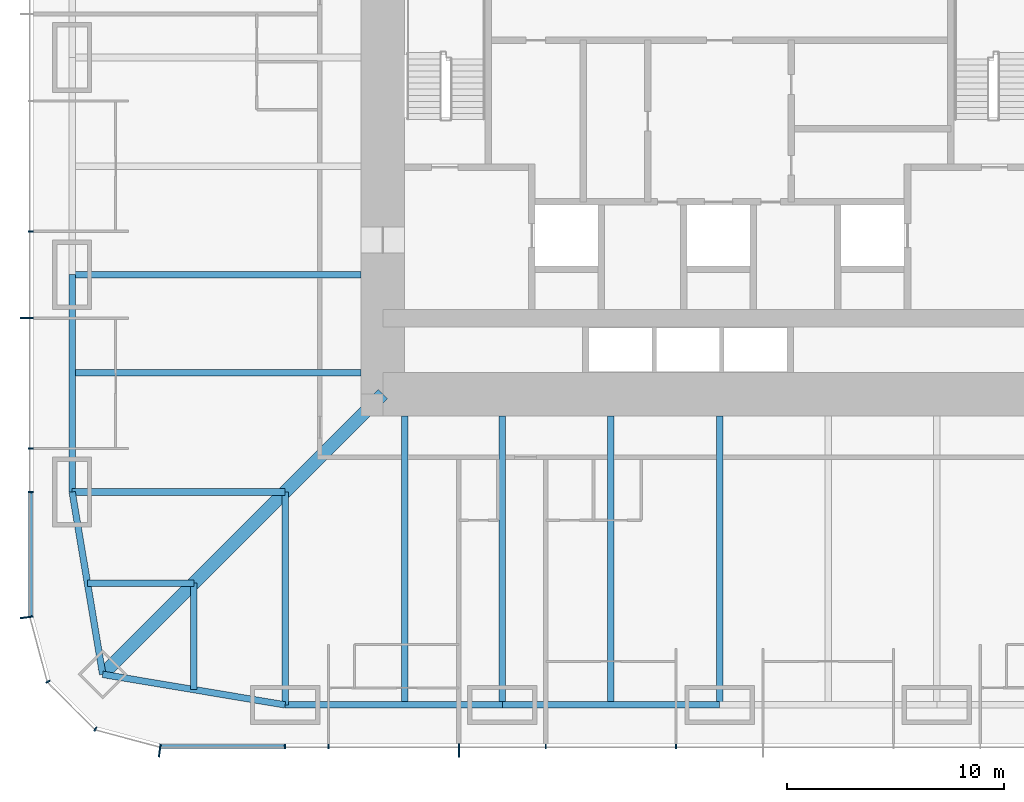
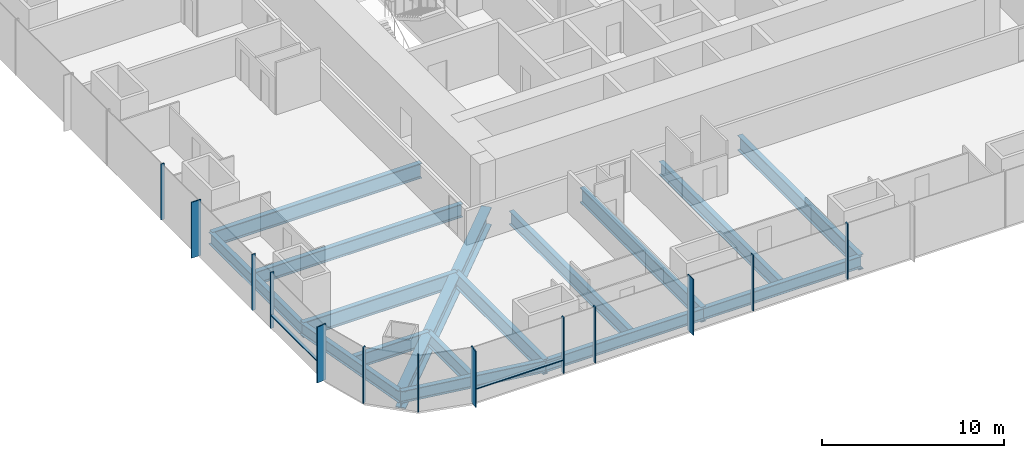
# One storey, part 2 of 17: 16 beams, 15 members, 3 elements without a shape of their own.
"""IFC4 building model written with IfcOpenShell, lengths in metres."""

from ifc_helpers import new_model, si_unit, direction, frame, origin, origin_2d, place, context, subcontext, project, spatial, rectangle, i_section, extrude, material, material_profile, profile_set, type_object, element, aggregate, save


model = new_model("IFC4")

# Units and contexts
model_context = context("Model", 3, precision=1e-05, world=origin(), true_north=direction((0.0, 1.0)))
body_context = subcontext(model_context, "Body", "Model", "MODEL_VIEW")
ifc_project = project(units=[si_unit("LENGTHUNIT", "METRE"), si_unit("AREAUNIT", "SQUARE_METRE"), si_unit("VOLUMEUNIT", "CUBIC_METRE"), si_unit("PLANEANGLEUNIT", "RADIAN"), si_unit("MASSUNIT", "GRAM", prefix="KILO")], contexts=[model_context])

# Site, building, storey
site_placement = place(None, origin())
site = spatial("IfcSite", under=ifc_project, at=site_placement, CompositionType="ELEMENT")
building_placement = place(site_placement, origin())
building = spatial("IfcBuilding", under=site, at=building_placement, Name="Khuree Lantern Residences", CompositionType="ELEMENT")
storey_placement = place(building_placement, frame((0.0, 0.0, 39.75)))
storey = spatial("IfcBuildingStorey", under=building, at=storey_placement, Name="L09", CompositionType="ELEMENT", Elevation=39.75)

# Beams
ifc_material_1 = material(Name="Steel S355", Category="steel")
ifc_material_profile_1 = material_profile(ifc_material_1, i_section(OverallWidth=0.300048828125, OverallDepth=0.889892578125, WebThickness=0.01611328125, FlangeThickness=0.030029296875, FilletRadius=0.030029296875, at=origin_2d()), Name="HE 900 A")
ifc_profile_set_1 = profile_set([ifc_material_profile_1], Name="Steel S355")
beam_type_1 = type_object("IfcBeamType", Name="B-12 SECONDARY BEAM HE 900 A", PredefinedType="BEAM", material=ifc_profile_set_1)
for number, where, z_axis, x_axis, name in (
    (1, (-5.0, -29.800048828125, -0.695068359375), (0.0, 1.0, 0.0), (-1.0, 0.0, 0.0), "Secondary beam S4"),
    (2, (-14.5, -29.800048828125, -0.695068359375), (0.0, 1.0, 0.0), (-1.0, 0.0, 0.0), "Secondary beam S5"),
):
    element("IfcBeam", number, at=place(storey_placement, frame(where, z_axis=z_axis, x_axis=x_axis)), inside=storey, type_object=beam_type_1, Name=name, PredefinedType="BEAM", context=body_context, shape_type="SweptSolid", body=[
        extrude(i_section(OverallWidth=0.300048828125, OverallDepth=0.889892578125, WebThickness=0.01611328125, FlangeThickness=0.030029296875, FilletRadius=0.030029296875, at=origin_2d()), origin(), (0.0, 0.0, 1.0), 13.300048828125),
    ])
for number, where, z_axis, x_axis, name in (
    (3, (-24.197021484375, -29.09716796875, -0.695068359375), (0.0, 1.0, 0.0), (-1.0, 0.0, 0.0), "Secondary beam S6"),
    (4, (-29.09716796875, -24.197021484375, -0.695068359375), (1.0, 0.0, 0.0), (0.0, 1.0, 0.0), "Secondary beam W1"),
):
    element("IfcBeam", number, at=place(storey_placement, frame(where, z_axis=z_axis, x_axis=x_axis)), inside=storey, type_object=beam_type_1, Name=name, PredefinedType="BEAM", context=body_context, shape_type="SweptSolid", body=[
        extrude(i_section(OverallWidth=0.300048828125, OverallDepth=0.889892578125, WebThickness=0.01611328125, FlangeThickness=0.030029296875, FilletRadius=0.030029296875, at=origin_2d()), origin(), (0.0, 0.0, 1.0), 4.900146484375),
    ])
beam_1_placement = place(storey_placement, frame((-29.800048828125, -14.5, -0.695068359375), z_axis=(1.0, 0.0, 0.0), x_axis=(0.0, 1.0, 0.0)))
element("IfcBeam", 5, at=beam_1_placement, inside=storey, type_object=beam_type_1, Name="Secondary beam W2", PredefinedType="BEAM", context=body_context, shape_type="SweptSolid", body=[
    extrude(i_section(OverallWidth=0.300048828125, OverallDepth=0.889892578125, WebThickness=0.01611328125, FlangeThickness=0.030029296875, FilletRadius=0.030029296875, at=origin_2d()), origin(), (0.0, 0.0, 1.0), 13.300048828125),
])
ifc_material_profile_2 = material_profile(ifc_material_1, i_section(OverallWidth=0.300048828125, OverallDepth=0.7900390625, WebThickness=0.014892578125, FlangeThickness=0.028076171875, FilletRadius=0.030029296875, at=origin_2d()), Name="HE 800 A")
ifc_profile_set_2 = profile_set([ifc_material_profile_2], Name="Steel S355")
beam_type_2 = type_object("IfcBeamType", Name="E-12 SPANDREL BEAM HE 800 A", PredefinedType="SPANDREL", material=ifc_profile_set_2)
for number, where, z_axis, x_axis, name in (
    (6, (0.0, -29.800048828125, -0.64501953125), (-1.0, 0.0, 0.0), (0.0, -1.0, 0.0), "Spandrel beam S4"),
    (7, (-10.0, -29.800048828125, -0.64501953125), (-1.0, 0.0, 0.0), (0.0, -1.0, 0.0), "Spandrel beam S5"),
):
    element("IfcBeam", number, at=place(storey_placement, frame(where, z_axis=z_axis, x_axis=x_axis)), inside=storey, type_object=beam_type_2, Name=name, PredefinedType="SPANDREL", context=body_context, shape_type="SweptSolid", body=[
        extrude(i_section(OverallWidth=0.300048828125, OverallDepth=0.7900390625, WebThickness=0.014892578125, FlangeThickness=0.028076171875, FilletRadius=0.030029296875, at=origin_2d()), origin(), (0.0, 0.0, 1.0), 10.0),
    ])
for number, where, z_axis, x_axis, name in (
    (8, (-20.0, -29.800048828125, -0.64501953125), (-0.986260251158, 0.165199022349, 0.0), (-0.165199022349, -0.986260251158, 0.0), "Spandrel beam S6"),
    (9, (-28.39404296875, -28.39404296875, -0.64501953125), (-0.165199022349, 0.986260251158, 0.0), (-0.986260251158, -0.165199022349, 0.0), "Spandrel beam W1"),
):
    element("IfcBeam", number, at=place(storey_placement, frame(where, z_axis=z_axis, x_axis=x_axis)), inside=storey, type_object=beam_type_2, Name=name, PredefinedType="SPANDREL", context=body_context, shape_type="SweptSolid", body=[
        extrude(i_section(OverallWidth=0.300048828125, OverallDepth=0.7900390625, WebThickness=0.014892578125, FlangeThickness=0.028076171875, FilletRadius=0.030029296875, at=origin_2d()), origin(), (0.0, 0.0, 1.0), 8.510986328125),
    ])
beam_2_placement = place(storey_placement, frame((-29.800048828125, -20.0, -0.64501953125), z_axis=(0.0, 1.0, 0.0), x_axis=(-1.0, 0.0, 0.0)))
element("IfcBeam", 10, at=beam_2_placement, inside=storey, type_object=beam_type_2, Name="Spandrel beam W2", PredefinedType="SPANDREL", context=body_context, shape_type="SweptSolid", body=[
    extrude(i_section(OverallWidth=0.300048828125, OverallDepth=0.7900390625, WebThickness=0.014892578125, FlangeThickness=0.028076171875, FilletRadius=0.030029296875, at=origin_2d()), origin(), (0.0, 0.0, 1.0), 10.0),
])

# Curtain wall, member
ifc_material_2 = material(Name="Bronze anodised aluminium", Category="aluminium")
curtain_wall_type_1 = type_object("IfcCurtainWallType", Name="CW-T1 TOWER FACE CURTAIN WALL", PredefinedType="USERDEFINED", material=ifc_material_2)
curtain_wall_1_placement = place(storey_placement, origin())
curtain_wall_1 = element("IfcCurtainWall", 11, at=curtain_wall_1_placement, inside=storey, type_object=curtain_wall_type_1, Name="L09 WEST FACE CURTAIN WALL", ObjectType="Stick-built curtain wall", PredefinedType="USERDEFINED")
ifc_material_profile_3 = material_profile(ifc_material_2, rectangle(XDim=0.06494140625, YDim=0.60009765625, at=origin_2d()), Name="F1 65X600")
ifc_profile_set_3 = profile_set([ifc_material_profile_3], Name="Bronze anodised aluminium")
member_type_1 = type_object("IfcMemberType", Name="F1 BRONZE FIN MULLION TOWER 65X600", PredefinedType="MULLION", material=ifc_profile_set_3)
member_1_placement = place(storey_placement, frame((-31.89990234375, -12.0, 0.0), z_axis=(0.0, 0.0, 1.0), x_axis=(0.0, -1.0, 0.0)))
member_1 = element("IfcMember", 12, at=member_1_placement, type_object=member_type_1, Name="L09 WEST FACE FIN MULLION 40", PredefinedType="MULLION", context=body_context, shape_type="SweptSolid", body=[
    extrude(rectangle(XDim=0.06494140625, YDim=0.60009765625, at=origin_2d()), origin(), (0.0, 0.0, 1.0), 3.75),
])

curtain_wall_type_2 = type_object("IfcCurtainWallType", Name="CW-T2 TOWER CORNER CURTAIN WALL", PredefinedType="USERDEFINED", material=ifc_material_2)
curtain_wall_2_placement = place(storey_placement, origin())
curtain_wall_2 = element("IfcCurtainWall", 13, at=curtain_wall_2_placement, inside=storey, type_object=curtain_wall_type_2, Name="L09 SOUTH-WEST CORNER CURTAIN WALL", ObjectType="Faceted corner curtain wall", PredefinedType="USERDEFINED")
member_2_placement = place(storey_placement, frame((-31.900146484375, -25.769775390625, 0.0), z_axis=(0.0, 0.0, 1.0), x_axis=(0.130526257387, -0.991444852794, 0.0)))
member_2 = element("IfcMember", 14, at=member_2_placement, type_object=member_type_1, Name="L09 SOUTH-WEST CORNER FIN MULLION 43", PredefinedType="MULLION", context=body_context, shape_type="SweptSolid", body=[
    extrude(rectangle(XDim=0.06494140625, YDim=0.60009765625, at=origin_2d()), origin(), (0.0, 0.0, 1.0), 3.75),
])

# Curtain wall, members
curtain_wall_3_placement = place(storey_placement, origin())
curtain_wall_3 = element("IfcCurtainWall", 15, at=curtain_wall_3_placement, inside=storey, type_object=curtain_wall_type_1, Name="L09 SOUTH FACE CURTAIN WALL", ObjectType="Stick-built curtain wall", PredefinedType="USERDEFINED")
member_3_placement = place(storey_placement, frame((-25.769775390625, -31.900146484375, 0.0), z_axis=(0.0, 0.0, 1.0), x_axis=(0.991444852794, -0.130526257387, 0.0)))
member_3 = element("IfcMember", 16, at=member_3_placement, type_object=member_type_1, Name="L09 SOUTH FACE FIN MULLION 46", PredefinedType="MULLION", context=body_context, shape_type="SweptSolid", body=[
    extrude(rectangle(XDim=0.06494140625, YDim=0.60009765625, at=origin_2d()), origin(), (0.0, 0.0, 1.0), 3.75),
])
member_4_placement = place(storey_placement, frame((-12.0, -31.89990234375, 0.0), z_axis=(0.0, 0.0, 1.0), x_axis=(1.0, 0.0, 0.0)))
member_4 = element("IfcMember", 17, at=member_4_placement, type_object=member_type_1, Name="L09 SOUTH FACE FIN MULLION 49", PredefinedType="MULLION", context=body_context, shape_type="SweptSolid", body=[
    extrude(rectangle(XDim=0.06494140625, YDim=0.60009765625, at=origin_2d()), origin(), (0.0, 0.0, 1.0), 3.75),
])

# Beams
ifc_material_profile_4 = material_profile(ifc_material_1, i_section(OverallWidth=0.302001953125, OverallDepth=1.008056640625, WebThickness=0.02099609375, FlangeThickness=0.0400390625, FilletRadius=0.030029296875, at=origin_2d()), Name="HE 1000 M")
ifc_profile_set_4 = profile_set([ifc_material_profile_4], Name="Steel S355")
beam_type_3 = type_object("IfcBeamType", Name="G-12 GIRDER HE 1000 M", PredefinedType="BEAM", material=ifc_profile_set_4)
for number, where, z_axis, x_axis, name in (
    (18, (0.0, -29.800048828125, -0.75390625), (0.0, 1.0, 0.0), (-1.0, 0.0, 0.0), "Girder S3"),
    (19, (-10.0, -29.800048828125, -0.75390625), (0.0, 1.0, 0.0), (-1.0, 0.0, 0.0), "Girder S4"),
):
    element("IfcBeam", number, at=place(storey_placement, frame(where, z_axis=z_axis, x_axis=x_axis)), inside=storey, type_object=beam_type_3, Name=name, PredefinedType="BEAM", context=body_context, shape_type="SweptSolid", body=[
        extrude(i_section(OverallWidth=0.302001953125, OverallDepth=1.008056640625, WebThickness=0.02099609375, FlangeThickness=0.0400390625, FilletRadius=0.030029296875, at=origin_2d()), origin(), (0.0, 0.0, 1.0), 13.300048828125),
    ])
for number, where, z_axis, x_axis, name in (
    (20, (-20.0, -29.800048828125, -0.75390625), (0.0, 1.0, 0.0), (-1.0, 0.0, 0.0), "Girder S5"),
    (21, (-29.800048828125, -20.0, -0.75390625), (1.0, 0.0, 0.0), (0.0, 1.0, 0.0), "Girder W1"),
):
    element("IfcBeam", number, at=place(storey_placement, frame(where, z_axis=z_axis, x_axis=x_axis)), inside=storey, type_object=beam_type_3, Name=name, PredefinedType="BEAM", context=body_context, shape_type="SweptSolid", body=[
        extrude(i_section(OverallWidth=0.302001953125, OverallDepth=1.008056640625, WebThickness=0.02099609375, FlangeThickness=0.0400390625, FilletRadius=0.030029296875, at=origin_2d()), origin(), (0.0, 0.0, 1.0), 9.800048828125),
    ])
beam_3_placement = place(storey_placement, frame((-29.800048828125, -10.0, -0.75390625), z_axis=(1.0, 0.0, 0.0), x_axis=(0.0, 1.0, 0.0)))
element("IfcBeam", 22, at=beam_3_placement, inside=storey, type_object=beam_type_3, Name="Girder W2", PredefinedType="BEAM", context=body_context, shape_type="SweptSolid", body=[
    extrude(i_section(OverallWidth=0.302001953125, OverallDepth=1.008056640625, WebThickness=0.02099609375, FlangeThickness=0.0400390625, FilletRadius=0.030029296875, at=origin_2d()), origin(), (0.0, 0.0, 1.0), 13.300048828125),
])
ifc_material_profile_5 = material_profile(ifc_material_1, i_section(OverallWidth=0.60009765625, OverallDepth=1.199951171875, WebThickness=0.030029296875, FlangeThickness=0.06005859375, at=origin_2d()), Name="WELDED I 1200X600X30X60")
ifc_profile_set_5 = profile_set([ifc_material_profile_5], Name="Steel S355")
beam_type_4 = type_object("IfcBeamType", Name="GD-12 CORNER GIRDER WELDED I 1200X600X30X60", PredefinedType="BEAM", material=ifc_profile_set_5)
beam_4_placement = place(storey_placement, frame((-28.39404296875, -28.39404296875, -0.85009765625), z_axis=(0.707106781187, 0.707106781187, 0.0), x_axis=(-0.707106781187, 0.707106781187, 0.0)))
element("IfcBeam", 23, at=beam_4_placement, inside=storey, type_object=beam_type_4, Name="Corner girder SW", PredefinedType="BEAM", context=body_context, shape_type="SweptSolid", body=[
    extrude(i_section(OverallWidth=0.60009765625, OverallDepth=1.199951171875, WebThickness=0.030029296875, FlangeThickness=0.06005859375, at=origin_2d()), origin(), (0.0, 0.0, 1.0), 18.23486328125),
])

# Member
ifc_material_profile_6 = material_profile(ifc_material_2, rectangle(XDim=0.06494140625, YDim=0.219970703125, at=origin_2d()), Name="M1 65X220")
ifc_profile_set_6 = profile_set([ifc_material_profile_6], Name="Bronze anodised aluminium")
member_type_2 = type_object("IfcMemberType", Name="M1 BRONZE MULLION TOWER 65X220", PredefinedType="MULLION", material=ifc_profile_set_6)
member_5_placement = place(storey_placement, frame((-31.7099609375, -8.0, 0.0), z_axis=(0.0, 0.0, 1.0), x_axis=(0.0, -1.0, 0.0)))
member_5 = element("IfcMember", 24, at=member_5_placement, type_object=member_type_2, Name="L09 WEST FACE MULLION 39", PredefinedType="MULLION", context=body_context, shape_type="SweptSolid", body=[
    extrude(rectangle(XDim=0.06494140625, YDim=0.219970703125, at=origin_2d()), origin(), (0.0, 0.0, 1.0), 3.75),
])

member_6_placement = place(storey_placement, frame((-31.7099609375, -18.0, 0.0), z_axis=(0.0, 0.0, 1.0), x_axis=(0.0, -1.0, 0.0)))
member_6 = element("IfcMember", 25, at=member_6_placement, type_object=member_type_2, Name="L09 WEST FACE MULLION 41", PredefinedType="MULLION", context=body_context, shape_type="SweptSolid", body=[
    extrude(rectangle(XDim=0.06494140625, YDim=0.219970703125, at=origin_2d()), origin(), (0.0, 0.0, 1.0), 3.75),
])

member_7_placement = place(storey_placement, frame((-31.7099609375, -20.0, 0.0), z_axis=(0.0, 0.0, 1.0), x_axis=(0.0, -1.0, 0.0)))
member_7 = element("IfcMember", 26, at=member_7_placement, type_object=member_type_2, Name="L09 WEST FACE MULLION 42", PredefinedType="MULLION", context=body_context, shape_type="SweptSolid", body=[
    extrude(rectangle(XDim=0.06494140625, YDim=0.219970703125, at=origin_2d()), origin(), (0.0, 0.0, 1.0), 3.75),
])

member_8_placement = place(storey_placement, frame((-30.91162109375, -28.72998046875, 0.0), z_axis=(0.0, 0.0, 1.0), x_axis=(0.500000056923, -0.86602537092, 0.0)))
member_8 = element("IfcMember", 27, at=member_8_placement, type_object=member_type_2, Name="L09 SOUTH-WEST CORNER MULLION 44", PredefinedType="MULLION", context=body_context, shape_type="SweptSolid", body=[
    extrude(rectangle(XDim=0.06494140625, YDim=0.219970703125, at=origin_2d()), origin(), (0.0, 0.0, 1.0), 3.75),
])

member_9_placement = place(storey_placement, frame((-28.72998046875, -30.91162109375, 0.0), z_axis=(0.0, 0.0, 1.0), x_axis=(0.86602537092, -0.500000056923, 0.0)))
member_9 = element("IfcMember", 28, at=member_9_placement, type_object=member_type_2, Name="L09 SOUTH-WEST CORNER MULLION 45", PredefinedType="MULLION", context=body_context, shape_type="SweptSolid", body=[
    extrude(rectangle(XDim=0.06494140625, YDim=0.219970703125, at=origin_2d()), origin(), (0.0, 0.0, 1.0), 3.75),
])

aggregate(curtain_wall_2, [member_2, member_8, member_9])

member_10_placement = place(storey_placement, frame((-20.0, -31.7099609375, 0.0), z_axis=(0.0, 0.0, 1.0), x_axis=(1.0, 0.0, 0.0)))
member_10 = element("IfcMember", 29, at=member_10_placement, type_object=member_type_2, Name="L09 SOUTH FACE MULLION 47", PredefinedType="MULLION", context=body_context, shape_type="SweptSolid", body=[
    extrude(rectangle(XDim=0.06494140625, YDim=0.219970703125, at=origin_2d()), origin(), (0.0, 0.0, 1.0), 3.75),
])

member_11_placement = place(storey_placement, frame((-18.0, -31.7099609375, 0.0), z_axis=(0.0, 0.0, 1.0), x_axis=(1.0, 0.0, 0.0)))
member_11 = element("IfcMember", 30, at=member_11_placement, type_object=member_type_2, Name="L09 SOUTH FACE MULLION 48", PredefinedType="MULLION", context=body_context, shape_type="SweptSolid", body=[
    extrude(rectangle(XDim=0.06494140625, YDim=0.219970703125, at=origin_2d()), origin(), (0.0, 0.0, 1.0), 3.75),
])

member_12_placement = place(storey_placement, frame((-8.0, -31.7099609375, 0.0), z_axis=(0.0, 0.0, 1.0), x_axis=(1.0, 0.0, 0.0)))
member_12 = element("IfcMember", 31, at=member_12_placement, type_object=member_type_2, Name="L09 SOUTH FACE MULLION 50", PredefinedType="MULLION", context=body_context, shape_type="SweptSolid", body=[
    extrude(rectangle(XDim=0.06494140625, YDim=0.219970703125, at=origin_2d()), origin(), (0.0, 0.0, 1.0), 3.75),
])

member_13_placement = place(storey_placement, frame((-2.0, -31.7099609375, 0.0), z_axis=(0.0, 0.0, 1.0), x_axis=(1.0, 0.0, 0.0)))
member_13 = element("IfcMember", 32, at=member_13_placement, type_object=member_type_2, Name="L09 SOUTH FACE MULLION 51", PredefinedType="MULLION", context=body_context, shape_type="SweptSolid", body=[
    extrude(rectangle(XDim=0.06494140625, YDim=0.219970703125, at=origin_2d()), origin(), (0.0, 0.0, 1.0), 3.75),
])

ifc_material_profile_7 = material_profile(ifc_material_2, rectangle(XDim=0.179931640625, YDim=0.06494140625, at=origin_2d()), Name="T1 180X65")
ifc_profile_set_7 = profile_set([ifc_material_profile_7], Name="Bronze anodised aluminium")
member_type_3 = type_object("IfcMemberType", Name="TRANSOM T1 TOWER 180X65", PredefinedType="USERDEFINED", material=ifc_profile_set_7)
member_14_placement = place(storey_placement, frame((-31.719970703125, -20.032470703125, 0.89990234375), z_axis=(0.0, -1.0, 0.0), x_axis=(1.0, 0.0, 0.0)))
member_14 = element("IfcMember", 33, at=member_14_placement, type_object=member_type_3, Name="L09 WEST FACE TRANSOM 42.1", ObjectType="Transom", PredefinedType="USERDEFINED", context=body_context, shape_type="SweptSolid", body=[
    extrude(rectangle(XDim=0.179931640625, YDim=0.06494140625, at=origin_2d()), origin(), (0.0, 0.0, 1.0), 5.6689453125),
])

aggregate(curtain_wall_1, [member_5, member_1, member_6, member_7, member_14])

member_15_placement = place(storey_placement, frame((-25.701416015625, -31.719970703125, 0.89990234375), z_axis=(1.0, 0.0, 0.0), x_axis=(0.0, 1.0, 0.0)))
member_15 = element("IfcMember", 34, at=member_15_placement, type_object=member_type_3, Name="L09 SOUTH FACE TRANSOM 46.1", ObjectType="Transom", PredefinedType="USERDEFINED", context=body_context, shape_type="SweptSolid", body=[
    extrude(rectangle(XDim=0.179931640625, YDim=0.06494140625, at=origin_2d()), origin(), (0.0, 0.0, 1.0), 5.6689453125),
])

aggregate(curtain_wall_3, [member_3, member_10, member_11, member_4, member_12, member_13, member_15])

save(model, "model.ifc")
